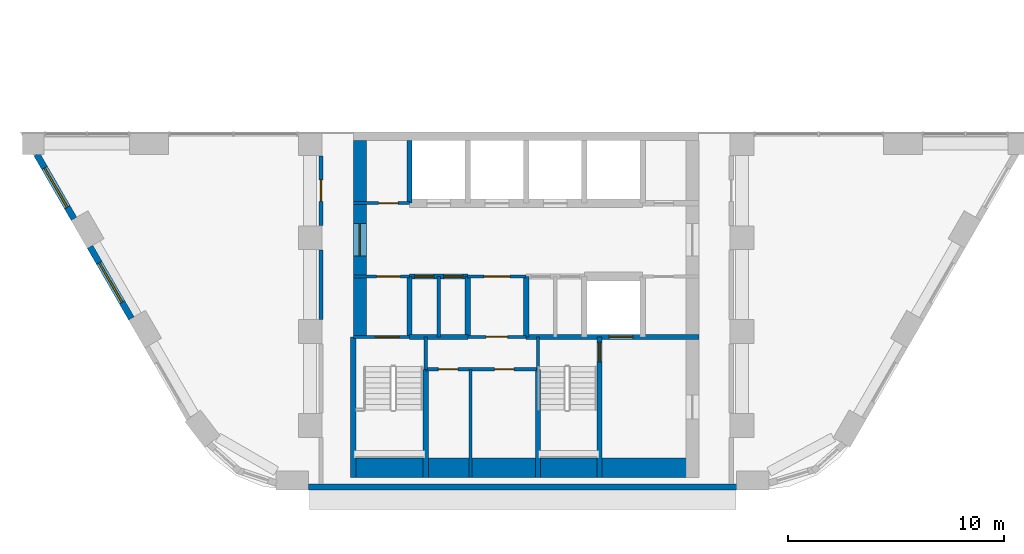
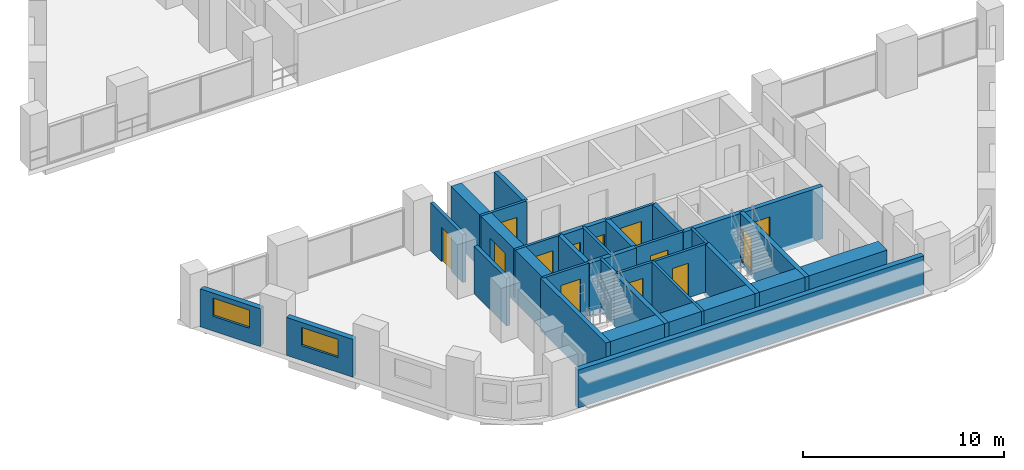
# One storey, part 5 of 11: 28 walls, 13 doors, 2 windows, 15 openings.
"""IFC4 building model written with IfcOpenShell, lengths in metres."""

from ifc_helpers import new_model, si_unit, direction, frame, frame_2d, origin, place, context, subcontext, project, spatial, rectangle, extrude, material, layer, layer_set, type_object, element, fill, save


model = new_model("IFC4")

# Units and contexts
model_context = context("Model", 3, precision=1e-05, world=origin(), true_north=direction((0.0, 1.0)))
body_context = subcontext(model_context, "Body", "Model", "MODEL_VIEW")
ifc_project = project(units=[si_unit("LENGTHUNIT", "METRE"), si_unit("AREAUNIT", "SQUARE_METRE"), si_unit("VOLUMEUNIT", "CUBIC_METRE"), si_unit("PLANEANGLEUNIT", "RADIAN"), si_unit("MASSUNIT", "GRAM", prefix="KILO")], contexts=[model_context])

# Site, building, storey
site_placement = place(None, origin())
site = spatial("IfcSite", under=ifc_project, at=site_placement, CompositionType="ELEMENT")
building_placement = place(site_placement, origin())
building = spatial("IfcBuilding", under=site, at=building_placement, Name="Nakaniwa Court", CompositionType="ELEMENT")
storey_placement = place(building_placement, frame((0.0, 0.0, 34.800048828125)))
storey = spatial("IfcBuildingStorey", under=building, at=storey_placement, Name="L08", CompositionType="ELEMENT", Elevation=34.800048828125)

# Wall
ifc_material_1 = material(Name="Acoustic double stud partition")
ifc_layer_1 = layer(ifc_material_1, 0.199951171875)
ifc_layer_set_1 = layer_set([ifc_layer_1], Name="Acoustic double stud partition")
wall_type_1 = type_object("IfcWallType", Name="Acoustic double stud partition 200", PredefinedType="PARTITIONING", material=ifc_layer_set_1)
wall_1_placement = place(storey_placement, frame((70.5, 63.9169921875, 0.0), z_axis=(0.0, 0.0, 1.0), x_axis=(0.0, 1.0, 0.0)))
element("IfcWall", 1, at=wall_1_placement, inside=storey, type_object=wall_type_1, Name="Partition PW-081", PredefinedType="PARTITIONING", context=body_context, shape_type="SweptSolid", body=[
    extrude(rectangle(XDim=3.216064453125, YDim=0.199951171875, at=frame_2d((1.60791015625, 0.0))), origin(), (0.0, 0.0, 1.0), 2.89990234375),
])

# Wall, opening, door
wall_2_placement = place(storey_placement, frame((70.5, 68.26708984375, 0.0), z_axis=(0.0, 0.0, 1.0), x_axis=(0.0, 1.0, 0.0)))
wall_2 = element("IfcWall", 2, at=wall_2_placement, inside=storey, type_object=wall_type_1, Name="Partition PW-082", PredefinedType="PARTITIONING", context=body_context, shape_type="SweptSolid", body=[
    extrude(rectangle(XDim=3.2158203125, YDim=0.199951171875, at=frame_2d((1.60791015625, 0.0))), origin(), (0.0, 0.0, 1.0), 2.89990234375),
])
opening_1_placement = place(wall_2_placement, frame((1.10791015625, 0.0, 0.0)))
opening_1 = element("IfcOpeningElement", 3, at=opening_1_placement, cuts=wall_2, Name="Opening D-02-03", PredefinedType="OPENING", context=body_context, shape_type="SweptSolid", body=[
    extrude(rectangle(XDim=1.0, YDim=2.10009765625, at=frame_2d((0.5, 1.050048828125))), frame((0.0, 0.10986328125, 0.0), z_axis=(0.0, -1.0, 0.0), x_axis=(1.0, 0.0, 0.0)), (0.0, 0.0, 1.0), 0.219970703125),
])
ifc_material_2 = material(Name="Solid core timber door set, black veneer", Category="wood")
door_type_1 = type_object("IfcDoorType", Name="Internal door 1000", OperationType="NOTDEFINED", PredefinedType="DOOR", material=ifc_material_2)
door_1_placement = place(opening_1_placement, origin())
door_1 = element("IfcDoor", 4, at=door_1_placement, inside=storey, type_object=door_type_1, Name="Door D-02-03 L08-031", OperationType="SINGLE_SWING_RIGHT", OverallHeight=2.10009765625, OverallWidth=1.0, PredefinedType="DOOR", context=body_context, shape_type="SweptSolid", body=[
    extrude(rectangle(XDim=1.0, YDim=2.10009765625, at=frame_2d((0.5, 1.050048828125))), frame((0.0, 0.02490234375, 0.0), z_axis=(0.0, -1.0, 0.0), x_axis=(1.0, 0.0, 0.0)), (0.0, 0.0, 1.0), 0.050048828125),
])
fill(opening_1, door_1)

# Wall, opening, window
ifc_material_3 = material(Name="Charcoal ceramic cladding")
ifc_layer_2 = layer(ifc_material_3, 0.02, Name="Ceramic cladding")
ifc_material_4 = material(Name="Ventilated air cavity")
ifc_layer_3 = layer(ifc_material_4, 0.04, ventilated=True, Name="Ventilated cavity")
ifc_material_5 = material(Name="Mineral wool insulation")
ifc_layer_4 = layer(ifc_material_5, 0.1, Name="Insulation")
ifc_material_6 = material(Name="Cement bonded sheathing board")
ifc_layer_5 = layer(ifc_material_6, 0.012, Name="Sheathing")
ifc_material_7 = material(Name="Cold-formed galvanised stud frame with mineral wool infill")
ifc_layer_6 = layer(ifc_material_7, 0.1, Name="Stud frame")
ifc_material_8 = material(Name="Fire-rated gypsum plasterboard lining")
ifc_layer_7 = layer(ifc_material_8, 0.028, Name="Lining")
ifc_layer_set_2 = layer_set([ifc_layer_2, ifc_layer_3, ifc_layer_4, ifc_layer_5, ifc_layer_6, ifc_layer_7], Name="Charcoal ceramic faced external wall system")
wall_type_2 = type_object("IfcWallType", Name="Black ceramic faced external wall 300", PredefinedType="SOLIDWALL", material=ifc_layer_set_2)
wall_3_placement = place(storey_placement, frame((57.3369140625, 71.553466796875, 0.0), z_axis=(0.0, 0.0, 1.0), x_axis=(0.500035437112, -0.866004943191, 0.0)))
wall_3 = element("IfcWall", 5, at=wall_3_placement, inside=storey, type_object=wall_type_2, Name="L08 external wall 06", PredefinedType="SOLIDWALL", context=body_context, shape_type="SweptSolid", body=[
    extrude(rectangle(XDim=3.443603515625, YDim=0.300048828125, at=frame_2d((1.7216796875, 0.0))), origin(), (0.0, 0.0, 1.0), 2.300048828125),
])
opening_2_placement = place(wall_3_placement, frame((0.722412109375, 0.0, 0.89990234375)))
opening_2 = element("IfcOpeningElement", 6, at=opening_2_placement, cuts=wall_3, Name="Opening W7.03", PredefinedType="OPENING", context=body_context, shape_type="SweptSolid", body=[
    extrude(rectangle(XDim=2.10009765625, YDim=1.10009765625, at=frame_2d((1.050048828125, 0.550048828125))), frame((0.0, 0.159912109375, 0.0), z_axis=(0.0, -1.0, 0.0), x_axis=(1.0, 0.0, 0.0)), (0.0, 0.0, 1.0), 0.320068359375),
])
ifc_material_9 = material(Name="Black anodised aluminium frame with dark low-E laminated double glazing", Category="aluminium")
window_type = type_object("IfcWindowType", Name="Dark glass window 2100x1100 sill 900", PartitioningType="SINGLE_PANEL", PredefinedType="WINDOW", material=ifc_material_9)
window_1_placement = place(opening_2_placement, origin())
window_1 = element("IfcWindow", 7, at=window_1_placement, inside=storey, type_object=window_type, Name="L08 habitable room window 06-0", OverallHeight=1.10009765625, OverallWidth=2.10009765625, PartitioningType="SINGLE_PANEL", PredefinedType="WINDOW", context=body_context, shape_type="SweptSolid", body=[
    extrude(rectangle(XDim=2.10009765625, YDim=1.10009765625, at=frame_2d((1.050048828125, 0.550048828125))), frame((0.0, 0.030029296875, 0.0), z_axis=(0.0, -1.0, 0.0), x_axis=(1.0, 0.0, 0.0)), (0.0, 0.0, 1.0), 0.06005859375),
])
fill(opening_2, window_1)

wall_4_placement = place(storey_placement, frame((59.8046875, 67.279296875, 0.0), z_axis=(0.0, 0.0, 1.0), x_axis=(0.500001735503, -0.866024401789, 0.0)))
wall_4 = element("IfcWall", 8, at=wall_4_placement, inside=storey, type_object=wall_type_2, Name="L08 external wall 07", PredefinedType="SOLIDWALL", context=body_context, shape_type="SweptSolid", body=[
    extrude(rectangle(XDim=3.833984375, YDim=0.300048828125, at=frame_2d((1.9169921875, 0.0))), origin(), (0.0, 0.0, 1.0), 2.300048828125),
])
opening_3_placement = place(wall_4_placement, frame((0.866943359375, 0.0, 0.89990234375)))
opening_3 = element("IfcOpeningElement", 9, at=opening_3_placement, cuts=wall_4, Name="Opening W7.04", PredefinedType="OPENING", context=body_context, shape_type="SweptSolid", body=[
    extrude(rectangle(XDim=2.10009765625, YDim=1.10009765625, at=frame_2d((1.050048828125, 0.550048828125))), frame((0.0, 0.159912109375, 0.0), z_axis=(0.0, -1.0, 0.0), x_axis=(1.0, 0.0, 0.0)), (0.0, 0.0, 1.0), 0.320068359375),
])
window_2_placement = place(opening_3_placement, origin())
window_2 = element("IfcWindow", 10, at=window_2_placement, inside=storey, type_object=window_type, Name="L08 habitable room window 07-0", OverallHeight=1.10009765625, OverallWidth=2.10009765625, PartitioningType="SINGLE_PANEL", PredefinedType="WINDOW", context=body_context, shape_type="SweptSolid", body=[
    extrude(rectangle(XDim=2.10009765625, YDim=1.10009765625, at=frame_2d((1.050048828125, 0.550048828125))), frame((0.0, 0.030029296875, 0.0), z_axis=(0.0, -1.0, 0.0), x_axis=(1.0, 0.0, 0.0)), (0.0, 0.0, 1.0), 0.06005859375),
])
fill(opening_3, window_2)

# Wall
wall_5_placement = place(storey_placement, frame((69.92138671875, 56.14990234375, 0.0), z_axis=(0.0, 0.0, 1.0), x_axis=(1.0, 0.0, 0.0)))
element("IfcWall", 11, at=wall_5_placement, inside=storey, type_object=wall_type_2, Name="L08 external wall 11", PredefinedType="SOLIDWALL", context=body_context, shape_type="SweptSolid", body=[
    extrude(rectangle(XDim=19.839599609375, YDim=0.300048828125, at=frame_2d((9.919921875, 0.0))), origin(), (0.0, 0.0, 1.0), 2.300048828125),
])

# Wall, opening, door
ifc_material_10 = material(Name="Blockwork partition", Category="masonry")
ifc_layer_8 = layer(ifc_material_10, 0.14990234375)
ifc_layer_set_3 = layer_set([ifc_layer_8], Name="Blockwork partition")
wall_type_3 = type_object("IfcWallType", Name="Blockwork partition 150", PredefinedType="PARTITIONING", material=ifc_layer_set_3)
wall_6_placement = place(storey_placement, frame((72.0, 69.300048828125, 0.0), z_axis=(0.0, 0.0, 1.0), x_axis=(1.0, 0.0, 0.0)))
wall_6 = element("IfcWall", 12, at=wall_6_placement, inside=storey, type_object=wall_type_3, Name="Partition PW-038", PredefinedType="PARTITIONING", context=body_context, shape_type="SweptSolid", body=[
    extrude(rectangle(XDim=2.60009765625, YDim=0.14990234375, at=frame_2d((1.300048828125, 0.0))), origin(), (0.0, 0.0, 1.0), 2.89990234375),
])
opening_4_placement = place(wall_6_placement, frame((1.175048828125, 0.0, 0.0)))
opening_4 = element("IfcOpeningElement", 13, at=opening_4_placement, cuts=wall_6, Name="Opening D-05-10", PredefinedType="OPENING", context=body_context, shape_type="SweptSolid", body=[
    extrude(rectangle(XDim=0.89990234375, YDim=2.10009765625, at=frame_2d((0.449951171875, 1.050048828125))), frame((0.0, 0.0849609375, 0.0), z_axis=(0.0, -1.0, 0.0), x_axis=(1.0, 0.0, 0.0)), (0.0, 0.0, 1.0), 0.169921875),
])
ifc_material_11 = material(Name="Fire rated steel door set", Category="steel")
door_type_2 = type_object("IfcDoorType", Name="Service room door 900", OperationType="NOTDEFINED", PredefinedType="DOOR", material=ifc_material_11)
door_2_placement = place(opening_4_placement, origin())
door_2 = element("IfcDoor", 14, at=door_2_placement, inside=storey, type_object=door_type_2, Name="Door D-05-10 L08-015", OperationType="SINGLE_SWING_RIGHT", OverallHeight=2.10009765625, OverallWidth=0.89990234375, PredefinedType="DOOR", context=body_context, shape_type="SweptSolid", body=[
    extrude(rectangle(XDim=0.89990234375, YDim=2.10009765625, at=frame_2d((0.449951171875, 1.050048828125))), frame((0.0, 0.02490234375, 0.0), z_axis=(0.0, -1.0, 0.0), x_axis=(1.0, 0.0, 0.0)), (0.0, 0.0, 1.0), 0.050048828125),
])
fill(opening_4, door_2)

wall_7_placement = place(storey_placement, frame((74.60302734375, 65.89990234375, 0.0), z_axis=(0.0, 0.0, 1.0), x_axis=(-1.0, 0.0, 0.0)))
wall_7 = element("IfcWall", 15, at=wall_7_placement, inside=storey, type_object=wall_type_3, Name="Partition PW-051", PredefinedType="PARTITIONING", context=body_context, shape_type="SweptSolid", body=[
    extrude(rectangle(XDim=2.60302734375, YDim=0.14990234375, at=frame_2d((1.301513671875, 0.0))), origin(), (0.0, 0.0, 1.0), 2.89990234375),
])
opening_5_placement = place(wall_7_placement, frame((0.427978515625, 0.0, 0.0)))
opening_5 = element("IfcOpeningElement", 16, at=opening_5_placement, cuts=wall_7, Name="Opening D-08-02", PredefinedType="OPENING", context=body_context, shape_type="SweptSolid", body=[
    extrude(rectangle(XDim=1.10009765625, YDim=2.10009765625, at=frame_2d((0.550048828125, 1.050048828125))), frame((0.0, 0.0849609375, 0.0), z_axis=(0.0, -1.0, 0.0), x_axis=(1.0, 0.0, 0.0)), (0.0, 0.0, 1.0), 0.169921875),
])
door_type_3 = type_object("IfcDoorType", Name="Stair lobby door 1100", OperationType="NOTDEFINED", PredefinedType="DOOR", material=ifc_material_11)
door_3_placement = place(opening_5_placement, origin())
door_3 = element("IfcDoor", 17, at=door_3_placement, inside=storey, type_object=door_type_3, Name="Door D-08-02 L08-017", OperationType="SINGLE_SWING_RIGHT", OverallHeight=2.10009765625, OverallWidth=1.10009765625, PredefinedType="DOOR", context=body_context, shape_type="SweptSolid", body=[
    extrude(rectangle(XDim=1.10009765625, YDim=2.10009765625, at=frame_2d((0.550048828125, 1.050048828125))), frame((0.0, 0.02490234375, 0.0), z_axis=(0.0, -1.0, 0.0), x_axis=(1.0, 0.0, 0.0)), (0.0, 0.0, 1.0), 0.050048828125),
])
fill(opening_5, door_3)

wall_8_placement = place(storey_placement, frame((80.0029296875, 65.89990234375, 0.0), z_axis=(0.0, 0.0, 1.0), x_axis=(-1.0, 0.0, 0.0)))
wall_8 = element("IfcWall", 18, at=wall_8_placement, inside=storey, type_object=wall_type_3, Name="Partition PW-052", PredefinedType="PARTITIONING", context=body_context, shape_type="SweptSolid", body=[
    extrude(rectangle(XDim=2.705810546875, YDim=0.14990234375, at=frame_2d((1.35302734375, 0.0))), origin(), (0.0, 0.0, 1.0), 2.89990234375),
])
opening_6_placement = place(wall_8_placement, frame((0.7529296875, 0.0, 0.0)))
opening_6 = element("IfcOpeningElement", 19, at=opening_6_placement, cuts=wall_8, Name="Opening D-06-02", PredefinedType="OPENING", context=body_context, shape_type="SweptSolid", body=[
    extrude(rectangle(XDim=1.199951171875, YDim=2.10009765625, at=frame_2d((0.60009765625, 1.050048828125))), frame((0.0, 0.0849609375, 0.0), z_axis=(0.0, -1.0, 0.0), x_axis=(1.0, 0.0, 0.0)), (0.0, 0.0, 1.0), 0.169921875),
])
ifc_material_12 = material(Name="Fire rated steel double door set", Category="steel")
door_type_4 = type_object("IfcDoorType", Name="Service passage double door 1200", OperationType="NOTDEFINED", PredefinedType="DOOR", material=ifc_material_12)
door_4_placement = place(opening_6_placement, origin())
door_4 = element("IfcDoor", 20, at=door_4_placement, inside=storey, type_object=door_type_4, Name="Door D-06-02 L08-020", OperationType="DOUBLE_DOOR_SINGLE_SWING", OverallHeight=2.10009765625, OverallWidth=1.199951171875, PredefinedType="DOOR", context=body_context, shape_type="SweptSolid", body=[
    extrude(rectangle(XDim=1.199951171875, YDim=2.10009765625, at=frame_2d((0.60009765625, 1.050048828125))), frame((0.0, 0.02490234375, 0.0), z_axis=(0.0, -1.0, 0.0), x_axis=(1.0, 0.0, 0.0)), (0.0, 0.0, 1.0), 0.050048828125),
])
fill(opening_6, door_4)

# Wall
wall_9_placement = place(storey_placement, frame((75.949951171875, 63.10009765625, 0.0), z_axis=(0.0, 0.0, 1.0), x_axis=(0.0, 1.0, 0.0)))
element("IfcWall", 21, at=wall_9_placement, inside=storey, type_object=wall_type_3, Name="Partition PW-058", PredefinedType="PARTITIONING", context=body_context, shape_type="SweptSolid", body=[
    extrude(rectangle(XDim=2.7998046875, YDim=0.14990234375, at=frame_2d((1.39990234375, 0.0))), origin(), (0.0, 0.0, 1.0), 2.89990234375),
])

# Wall, opening, door
wall_10_placement = place(storey_placement, frame((80.0, 63.10009765625, 0.0), z_axis=(0.0, 0.0, 1.0), x_axis=(-1.0, 0.0, 0.0)))
wall_10 = element("IfcWall", 22, at=wall_10_placement, inside=storey, type_object=wall_type_3, Name="Partition PW-061", PredefinedType="PARTITIONING", context=body_context, shape_type="SweptSolid", body=[
    extrude(rectangle(XDim=2.699951171875, YDim=0.14990234375, at=frame_2d((1.35009765625, 0.0))), origin(), (0.0, 0.0, 1.0), 2.89990234375),
])
opening_7_placement = place(wall_10_placement, frame((0.85009765625, 0.0, 0.0)))
opening_7 = element("IfcOpeningElement", 23, at=opening_7_placement, cuts=wall_10, Name="Opening D-23-02", PredefinedType="OPENING", context=body_context, shape_type="SweptSolid", body=[
    extrude(rectangle(XDim=1.0, YDim=2.10009765625, at=frame_2d((0.5, 1.050048828125))), frame((0.0, 0.0849609375, 0.0), z_axis=(0.0, -1.0, 0.0), x_axis=(1.0, 0.0, 0.0)), (0.0, 0.0, 1.0), 0.169921875),
])
door_type_5 = type_object("IfcDoorType", Name="Service room door 1000", OperationType="NOTDEFINED", PredefinedType="DOOR", material=ifc_material_11)
door_5_placement = place(opening_7_placement, origin())
door_5 = element("IfcDoor", 24, at=door_5_placement, inside=storey, type_object=door_type_5, Name="Door D-23-02 L08-024", OperationType="SINGLE_SWING_LEFT", OverallHeight=2.10009765625, OverallWidth=1.0, PredefinedType="DOOR", context=body_context, shape_type="SweptSolid", body=[
    extrude(rectangle(XDim=1.0, YDim=2.10009765625, at=frame_2d((0.5, 1.050048828125))), frame((0.0, 0.02490234375, 0.0), z_axis=(0.0, -1.0, 0.0), x_axis=(1.0, 0.0, 0.0)), (0.0, 0.0, 1.0), 0.050048828125),
])
fill(opening_7, door_5)

# Wall, openings, doors
wall_11_placement = place(storey_placement, frame((80.550048828125, 61.60009765625, 0.0), z_axis=(0.0, 0.0, 1.0), x_axis=(-1.0, 0.0, 0.0)))
wall_11 = element("IfcWall", 25, at=wall_11_placement, inside=storey, type_object=wall_type_3, Name="Partition PW-069", PredefinedType="PARTITIONING", context=body_context, shape_type="SweptSolid", body=[
    extrude(rectangle(XDim=5.199951171875, YDim=0.14990234375, at=frame_2d((2.60009765625, 0.0))), origin(), (0.0, 0.0, 1.0), 2.89990234375),
])
opening_8_placement = place(wall_11_placement, frame((3.7099609375, 0.0, 0.0)))
opening_8 = element("IfcOpeningElement", 26, at=opening_8_placement, cuts=wall_11, Name="Opening D-05-17", PredefinedType="OPENING", context=body_context, shape_type="SweptSolid", body=[
    extrude(rectangle(XDim=0.89990234375, YDim=2.10009765625, at=frame_2d((0.449951171875, 1.050048828125))), frame((0.0, 0.0849609375, 0.0), z_axis=(0.0, -1.0, 0.0), x_axis=(1.0, 0.0, 0.0)), (0.0, 0.0, 1.0), 0.169921875),
])
opening_9_placement = place(wall_11_placement, frame((1.110107421875, 0.0, 0.0)))
opening_9 = element("IfcOpeningElement", 27, at=opening_9_placement, cuts=wall_11, Name="Opening D-05-18", PredefinedType="OPENING", context=body_context, shape_type="SweptSolid", body=[
    extrude(rectangle(XDim=0.89990234375, YDim=2.10009765625, at=frame_2d((0.449951171875, 1.050048828125))), frame((0.0, 0.0849609375, 0.0), z_axis=(0.0, -1.0, 0.0), x_axis=(1.0, 0.0, 0.0)), (0.0, 0.0, 1.0), 0.169921875),
])
door_6_placement = place(opening_8_placement, origin())
door_6 = element("IfcDoor", 28, at=door_6_placement, inside=storey, type_object=door_type_2, Name="Door D-05-17 L08-025", OperationType="SINGLE_SWING_RIGHT", OverallHeight=2.10009765625, OverallWidth=0.89990234375, PredefinedType="DOOR", context=body_context, shape_type="SweptSolid", body=[
    extrude(rectangle(XDim=0.89990234375, YDim=2.10009765625, at=frame_2d((0.449951171875, 1.050048828125))), frame((0.0, 0.02490234375, 0.0), z_axis=(0.0, -1.0, 0.0), x_axis=(1.0, 0.0, 0.0)), (0.0, 0.0, 1.0), 0.050048828125),
])
fill(opening_8, door_6)
door_7_placement = place(opening_9_placement, origin())
door_7 = element("IfcDoor", 29, at=door_7_placement, inside=storey, type_object=door_type_2, Name="Door D-05-18 L08-026", OperationType="SINGLE_SWING_LEFT", OverallHeight=2.10009765625, OverallWidth=0.89990234375, PredefinedType="DOOR", context=body_context, shape_type="SweptSolid", body=[
    extrude(rectangle(XDim=0.89990234375, YDim=2.10009765625, at=frame_2d((0.449951171875, 1.050048828125))), frame((0.0, 0.02490234375, 0.0), z_axis=(0.0, -1.0, 0.0), x_axis=(1.0, 0.0, 0.0)), (0.0, 0.0, 1.0), 0.050048828125),
])
fill(opening_9, door_7)

# Wall
wall_12_placement = place(storey_placement, frame((77.429931640625, 56.60009765625, 0.0), z_axis=(0.0, 0.0, 1.0), x_axis=(0.0, 1.0, 0.0)))
element("IfcWall", 30, at=wall_12_placement, inside=storey, type_object=wall_type_3, Name="Partition PW-070", PredefinedType="PARTITIONING", context=body_context, shape_type="SweptSolid", body=[
    extrude(rectangle(XDim=5.0, YDim=0.14990234375, at=frame_2d((2.5, 0.0))), origin(), (0.0, 0.0, 1.0), 2.89990234375),
])

# Wall, opening, door
ifc_material_13 = material(Name="Concrete C100/115", Category="concrete")
ifc_layer_9 = layer(ifc_material_13, 0.60009765625)
ifc_layer_set_4 = layer_set([ifc_layer_9], Name="Concrete C100/115")
wall_type_4 = type_object("IfcWallType", Name="Concrete core side wall 600 C100", PredefinedType="SHEAR", material=ifc_layer_set_4)
wall_13_placement = place(storey_placement, frame((72.300048828125, 63.10009765625, -0.275146484375), z_axis=(0.0, 0.0, 1.0), x_axis=(0.0, 1.0, 0.0)))
wall_13 = element("IfcWall", 31, at=wall_13_placement, inside=storey, type_object=wall_type_4, Name="Core wall SW-39", PredefinedType="SHEAR", context=body_context, shape_type="SweptSolid", body=[
    extrude(rectangle(XDim=9.099853515625, YDim=0.60009765625, at=frame_2d((4.5498046875, 0.0))), origin(), (0.0, 0.0, 1.0), 3.175048828125),
])
opening_10_placement = place(wall_13_placement, frame((3.75, 0.0, 0.27490234375)))
opening_10 = element("IfcOpeningElement", 32, at=opening_10_placement, cuts=wall_13, Name="Opening D-07-04", PredefinedType="OPENING", context=body_context, shape_type="SweptSolid", body=[
    extrude(rectangle(XDim=1.5, YDim=2.10009765625, at=frame_2d((0.75, 1.050048828125))), frame((0.0, 0.31005859375, 0.0), z_axis=(0.0, -1.0, 0.0), x_axis=(1.0, 0.0, 0.0)), (0.0, 0.0, 1.0), 0.6201171875),
])
ifc_material_14 = material(Name="Glazed fire rated steel double door set", Category="steel")
door_type_6 = type_object("IfcDoorType", Name="Lobby double door 1500", OperationType="NOTDEFINED", PredefinedType="DOOR", material=ifc_material_14)
door_8_placement = place(opening_10_placement, origin())
door_8 = element("IfcDoor", 33, at=door_8_placement, inside=storey, type_object=door_type_6, Name="Door D-07-04 L08-037", OperationType="DOUBLE_DOOR_SINGLE_SWING", OverallHeight=2.10009765625, OverallWidth=1.5, PredefinedType="DOOR", context=body_context, shape_type="SweptSolid", body=[
    extrude(rectangle(XDim=1.5, YDim=2.10009765625, at=frame_2d((0.75, 1.050048828125))), frame((0.0, 0.02490234375, 0.0), z_axis=(0.0, -1.0, 0.0), x_axis=(1.0, 0.0, 0.0)), (0.0, 0.0, 1.0), 0.050048828125),
])
fill(opening_10, door_8)

ifc_layer_10 = layer(ifc_material_13, 0.14990234375)
ifc_layer_set_5 = layer_set([ifc_layer_10], Name="Concrete C100/115")
wall_type_5 = type_object("IfcWallType", Name="Concrete core wall 150 C100", PredefinedType="SHEAR", material=ifc_layer_set_5)
wall_14_placement = place(storey_placement, frame((72.0, 63.10009765625, -0.275146484375), z_axis=(0.0, 0.0, 1.0), x_axis=(1.0, 0.0, 0.0)))
wall_14 = element("IfcWall", 34, at=wall_14_placement, inside=storey, type_object=wall_type_5, Name="Core wall SW-57", PredefinedType="SHEAR", context=body_context, shape_type="SweptSolid", body=[
    extrude(rectangle(XDim=2.60009765625, YDim=0.14990234375, at=frame_2d((1.300048828125, 0.0))), origin(), (0.0, 0.0, 1.0), 3.175048828125),
])
opening_11_placement = place(wall_14_placement, frame((1.02001953125, 0.0, 0.27490234375)))
opening_11 = element("IfcOpeningElement", 35, at=opening_11_placement, cuts=wall_14, Name="Opening D-09-02", PredefinedType="OPENING", context=body_context, shape_type="SweptSolid", body=[
    extrude(rectangle(XDim=1.10009765625, YDim=2.10009765625, at=frame_2d((0.550048828125, 1.050048828125))), frame((0.0, 0.0849609375, 0.0), z_axis=(0.0, -1.0, 0.0), x_axis=(1.0, 0.0, 0.0)), (0.0, 0.0, 1.0), 0.169921875),
])
door_type_7 = type_object("IfcDoorType", Name="Stair door 1100", OperationType="NOTDEFINED", PredefinedType="DOOR", material=ifc_material_11)
door_9_placement = place(opening_11_placement, origin())
door_9 = element("IfcDoor", 36, at=door_9_placement, inside=storey, type_object=door_type_7, Name="Door D-09-02 L08-027", OperationType="SINGLE_SWING_LEFT", OverallHeight=2.10009765625, OverallWidth=1.10009765625, PredefinedType="DOOR", context=body_context, shape_type="SweptSolid", body=[
    extrude(rectangle(XDim=1.10009765625, YDim=2.10009765625, at=frame_2d((0.550048828125, 1.050048828125))), frame((0.0, 0.02490234375, 0.0), z_axis=(0.0, -1.0, 0.0), x_axis=(1.0, 0.0, 0.0)), (0.0, 0.0, 1.0), 0.050048828125),
])
fill(opening_11, door_9)

# Walls
for number, where, z_axis, x_axis, name in (
    (37, (75.35009765625, 61.596923828125, -0.275146484375), (0.0, 0.0, 1.0), (0.0, 1.0, 0.0), "Core wall SW-63"),
    (38, (80.550048828125, 61.596923828125, -0.275146484375), (0.0, 0.0, 1.0), (0.0, 1.0, 0.0), "Core wall SW-67"),
):
    element("IfcWall", number, at=place(storey_placement, frame(where, z_axis=z_axis, x_axis=x_axis)), inside=storey, type_object=wall_type_5, Name=name, PredefinedType="SHEAR", context=body_context, shape_type="SweptSolid", body=[
        extrude(rectangle(XDim=1.503173828125, YDim=0.14990234375, at=frame_2d((0.75146484375, 0.0))), origin(), (0.0, 0.0, 1.0), 3.175048828125),
    ])
ifc_layer_11 = layer(ifc_material_13, 0.25)
ifc_layer_set_6 = layer_set([ifc_layer_11], Name="Concrete C100/115")
wall_type_6 = type_object("IfcWallType", Name="Concrete core wall 250 C100", PredefinedType="SHEAR", material=ifc_layer_set_6)
wall_15_placement = place(storey_placement, frame((72.0, 56.60009765625, -0.275146484375), z_axis=(0.0, 0.0, 1.0), x_axis=(0.0, 1.0, 0.0)))
element("IfcWall", 39, at=wall_15_placement, inside=storey, type_object=wall_type_6, Name="Core wall SW-65", PredefinedType="SHEAR", context=body_context, shape_type="SweptSolid", body=[
    extrude(rectangle(XDim=6.5, YDim=0.25, at=frame_2d((3.25, 0.0))), origin(), (0.0, 0.0, 1.0), 3.175048828125),
])
ifc_layer_12 = layer(ifc_material_13, 0.89990234375)
ifc_layer_set_7 = layer_set([ifc_layer_12], Name="Concrete C100/115")
wall_type_7 = type_object("IfcWallType", Name="Concrete core wall 900 C100", PredefinedType="SHEAR", material=ifc_layer_set_7)
wall_16_placement = place(storey_placement, frame((72.00390625, 57.050048828125, -0.275146484375), z_axis=(0.0, 0.0, 1.0), x_axis=(1.0, 0.0, 0.0)))
element("IfcWall", 40, at=wall_16_placement, inside=storey, type_object=wall_type_7, Name="Core wall SW-90", PredefinedType="SHEAR", context=body_context, shape_type="SweptSolid", body=[
    extrude(rectangle(XDim=15.9921875, YDim=0.89990234375, at=frame_2d((7.99609375, 0.0))), origin(), (0.0, 0.0, 1.0), 3.175048828125),
])
ifc_layer_13 = layer(ifc_material_13, 0.25)
ifc_layer_set_8 = layer_set([ifc_layer_13], Name="Concrete C100/115")
wall_type_8 = type_object("IfcWallType", Name="Concrete shaft wall 250 C100", PredefinedType="SHEAR", material=ifc_layer_set_8)
wall_17_placement = place(storey_placement, frame((74.60009765625, 63.10009765625, -0.275146484375), z_axis=(0.0, 0.0, 1.0), x_axis=(0.0, 1.0, 0.0)))
element("IfcWall", 41, at=wall_17_placement, inside=storey, type_object=wall_type_8, Name="Core wall SW-36", PredefinedType="SHEAR", context=body_context, shape_type="SweptSolid", body=[
    extrude(rectangle(XDim=2.7998046875, YDim=0.25, at=frame_2d((1.39990234375, 0.0))), origin(), (0.0, 0.0, 1.0), 3.175048828125),
])
wall_18_placement = place(storey_placement, frame((74.60009765625, 69.300048828125, -0.275146484375), z_axis=(0.0, 0.0, 1.0), x_axis=(0.0, 1.0, 0.0)))
element("IfcWall", 42, at=wall_18_placement, inside=storey, type_object=wall_type_8, Name="Core wall SW-37", PredefinedType="SHEAR", context=body_context, shape_type="SweptSolid", body=[
    extrude(rectangle(XDim=2.89990234375, YDim=0.25, at=frame_2d((1.449951171875, 0.0))), origin(), (0.0, 0.0, 1.0), 3.175048828125),
])
for number, where, z_axis, x_axis, name in (
    (43, (77.300048828125, 63.10009765625, -0.275146484375), (0.0, 0.0, 1.0), (0.0, 1.0, 0.0), "Core wall SW-40"),
    (44, (80.0, 63.10009765625, -0.275146484375), (0.0, 0.0, 1.0), (0.0, 1.0, 0.0), "Core wall SW-43"),
):
    element("IfcWall", number, at=place(storey_placement, frame(where, z_axis=z_axis, x_axis=x_axis)), inside=storey, type_object=wall_type_8, Name=name, PredefinedType="SHEAR", context=body_context, shape_type="SweptSolid", body=[
        extrude(rectangle(XDim=2.7998046875, YDim=0.25, at=frame_2d((1.39990234375, 0.0))), origin(), (0.0, 0.0, 1.0), 3.175048828125),
    ])

# Wall, openings, doors
wall_19_placement = place(storey_placement, frame((77.302978515625, 65.89990234375, -0.275146484375), z_axis=(0.0, 0.0, 1.0), x_axis=(-1.0, 0.0, 0.0)))
wall_19 = element("IfcWall", 45, at=wall_19_placement, inside=storey, type_object=wall_type_8, Name="Core wall SW-54", PredefinedType="SHEAR", context=body_context, shape_type="SweptSolid", body=[
    extrude(rectangle(XDim=2.7060546875, YDim=0.25, at=frame_2d((1.35302734375, 0.0))), origin(), (0.0, 0.0, 1.0), 3.175048828125),
])
opening_12_placement = place(wall_19_placement, frame((1.577880859375, 0.0, 0.27490234375)))
opening_12 = element("IfcOpeningElement", 46, at=opening_12_placement, cuts=wall_19, Name="Opening D-05-12", PredefinedType="OPENING", context=body_context, shape_type="SweptSolid", body=[
    extrude(rectangle(XDim=0.89990234375, YDim=2.10009765625, at=frame_2d((0.449951171875, 1.050048828125))), frame((0.0, 0.135009765625, 0.0), z_axis=(0.0, -1.0, 0.0), x_axis=(1.0, 0.0, 0.0)), (0.0, 0.0, 1.0), 0.27001953125),
])
opening_13_placement = place(wall_19_placement, frame((0.22802734375, 0.0, 0.27490234375)))
opening_13 = element("IfcOpeningElement", 47, at=opening_13_placement, cuts=wall_19, Name="Opening D-05-13", PredefinedType="OPENING", context=body_context, shape_type="SweptSolid", body=[
    extrude(rectangle(XDim=0.89990234375, YDim=2.10009765625, at=frame_2d((0.449951171875, 1.050048828125))), frame((0.0, 0.135009765625, 0.0), z_axis=(0.0, -1.0, 0.0), x_axis=(1.0, 0.0, 0.0)), (0.0, 0.0, 1.0), 0.27001953125),
])
door_10_placement = place(opening_12_placement, origin())
door_10 = element("IfcDoor", 48, at=door_10_placement, inside=storey, type_object=door_type_2, Name="Door D-05-12 L08-018", OperationType="SINGLE_SWING_LEFT", OverallHeight=2.10009765625, OverallWidth=0.89990234375, PredefinedType="DOOR", context=body_context, shape_type="SweptSolid", body=[
    extrude(rectangle(XDim=0.89990234375, YDim=2.10009765625, at=frame_2d((0.449951171875, 1.050048828125))), frame((0.0, 0.02490234375, 0.0), z_axis=(0.0, -1.0, 0.0), x_axis=(1.0, 0.0, 0.0)), (0.0, 0.0, 1.0), 0.050048828125),
])
fill(opening_12, door_10)
door_11_placement = place(opening_13_placement, origin())
door_11 = element("IfcDoor", 49, at=door_11_placement, inside=storey, type_object=door_type_2, Name="Door D-05-13 L08-019", OperationType="SINGLE_SWING_RIGHT", OverallHeight=2.10009765625, OverallWidth=0.89990234375, PredefinedType="DOOR", context=body_context, shape_type="SweptSolid", body=[
    extrude(rectangle(XDim=0.89990234375, YDim=2.10009765625, at=frame_2d((0.449951171875, 1.050048828125))), frame((0.0, 0.02490234375, 0.0), z_axis=(0.0, -1.0, 0.0), x_axis=(1.0, 0.0, 0.0)), (0.0, 0.0, 1.0), 0.050048828125),
])
fill(opening_13, door_11)

# Wall
wall_20_placement = place(storey_placement, frame((74.60009765625, 63.10009765625, -0.275146484375), z_axis=(0.0, 0.0, 1.0), x_axis=(1.0, 0.0, 0.0)))
element("IfcWall", 50, at=wall_20_placement, inside=storey, type_object=wall_type_8, Name="Core wall SW-59", PredefinedType="SHEAR", context=body_context, shape_type="SweptSolid", body=[
    extrude(rectangle(XDim=2.699951171875, YDim=0.25, at=frame_2d((1.35009765625, 0.0))), origin(), (0.0, 0.0, 1.0), 3.175048828125),
])

# Wall, opening, door
wall_21_placement = place(storey_placement, frame((80.0, 63.10009765625, -0.275146484375), z_axis=(0.0, 0.0, 1.0), x_axis=(1.0, 0.0, 0.0)))
wall_21 = element("IfcWall", 51, at=wall_21_placement, inside=storey, type_object=wall_type_8, Name="Core wall SW-60", PredefinedType="SHEAR", context=body_context, shape_type="SweptSolid", body=[
    extrude(rectangle(XDim=8.0, YDim=0.25, at=frame_2d((4.0, 0.0))), origin(), (0.0, 0.0, 1.0), 3.175048828125),
])
opening_14_placement = place(wall_21_placement, frame((3.84912109375, 0.0, 0.27490234375)))
opening_14 = element("IfcOpeningElement", 52, at=opening_14_placement, cuts=wall_21, Name="Opening LD08", PredefinedType="OPENING", context=body_context, shape_type="SweptSolid", body=[
    extrude(rectangle(XDim=1.10009765625, YDim=2.10009765625, at=frame_2d((0.550048828125, 1.050048828125))), frame((0.0, 0.135009765625, 0.0), z_axis=(0.0, -1.0, 0.0), x_axis=(1.0, 0.0, 0.0)), (0.0, 0.0, 1.0), 0.27001953125),
])
ifc_material_15 = material(Name="Stainless steel sliding lift landing door", Category="steel")
door_type_8 = type_object("IfcDoorType", Name="Lift landing door 1100", OperationType="NOTDEFINED", PredefinedType="DOOR", material=ifc_material_15)
door_12_placement = place(opening_14_placement, origin())
door_12 = element("IfcDoor", 53, at=door_12_placement, inside=storey, type_object=door_type_8, Name="Lift landing door LD08 L08-008", OperationType="SLIDING_TO_LEFT", OverallHeight=2.10009765625, OverallWidth=1.10009765625, PredefinedType="DOOR", context=body_context, shape_type="SweptSolid", body=[
    extrude(rectangle(XDim=1.10009765625, YDim=2.10009765625, at=frame_2d((0.550048828125, 1.050048828125))), frame((0.0, 0.02490234375, 0.0), z_axis=(0.0, -1.0, 0.0), x_axis=(1.0, 0.0, 0.0)), (0.0, 0.0, 1.0), 0.050048828125),
])
fill(opening_14, door_12)

# Wall
wall_22_placement = place(storey_placement, frame((75.35009765625, 56.60009765625, -0.275146484375), z_axis=(0.0, 0.0, 1.0), x_axis=(0.0, 1.0, 0.0)))
element("IfcWall", 54, at=wall_22_placement, inside=storey, type_object=wall_type_8, Name="Core wall SW-64", PredefinedType="SHEAR", context=body_context, shape_type="SweptSolid", body=[
    extrude(rectangle(XDim=5.0029296875, YDim=0.25, at=frame_2d((2.50146484375, 0.0))), origin(), (0.0, 0.0, 1.0), 3.175048828125),
])

# Wall, opening, door
wall_23_placement = place(storey_placement, frame((83.39990234375, 63.10009765625, -0.275146484375), z_axis=(0.0, 0.0, 1.0), x_axis=(0.0, -1.0, 0.0)))
wall_23 = element("IfcWall", 55, at=wall_23_placement, inside=storey, type_object=wall_type_8, Name="Core wall SW-66", PredefinedType="SHEAR", context=body_context, shape_type="SweptSolid", body=[
    extrude(rectangle(XDim=6.5, YDim=0.25, at=frame_2d((3.25, 0.0))), origin(), (0.0, 0.0, 1.0), 3.175048828125),
])
opening_15_placement = place(wall_23_placement, frame((0.25, 0.0, 0.27490234375)))
opening_15 = element("IfcOpeningElement", 56, at=opening_15_placement, cuts=wall_23, Name="Opening D-11-02", PredefinedType="OPENING", context=body_context, shape_type="SweptSolid", body=[
    extrude(rectangle(XDim=0.89990234375, YDim=2.10009765625, at=frame_2d((0.449951171875, 1.050048828125))), frame((0.0, 0.135009765625, 0.0), z_axis=(0.0, -1.0, 0.0), x_axis=(1.0, 0.0, 0.0)), (0.0, 0.0, 1.0), 0.27001953125),
])
door_type_9 = type_object("IfcDoorType", Name="Stair door 900", OperationType="NOTDEFINED", PredefinedType="DOOR", material=ifc_material_11)
door_13_placement = place(opening_15_placement, origin())
door_13 = element("IfcDoor", 57, at=door_13_placement, inside=storey, type_object=door_type_9, Name="Door D-11-02 L08-028", OperationType="SINGLE_SWING_RIGHT", OverallHeight=2.10009765625, OverallWidth=0.89990234375, PredefinedType="DOOR", context=body_context, shape_type="SweptSolid", body=[
    extrude(rectangle(XDim=0.89990234375, YDim=2.10009765625, at=frame_2d((0.449951171875, 1.050048828125))), frame((0.0, 0.02490234375, 0.0), z_axis=(0.0, -1.0, 0.0), x_axis=(1.0, 0.0, 0.0)), (0.0, 0.0, 1.0), 0.050048828125),
])
fill(opening_15, door_13)

# Wall
wall_24_placement = place(storey_placement, frame((80.550048828125, 56.60009765625, -0.275146484375), z_axis=(0.0, 0.0, 1.0), x_axis=(0.0, 1.0, 0.0)))
element("IfcWall", 58, at=wall_24_placement, inside=storey, type_object=wall_type_8, Name="Core wall SW-68", PredefinedType="SHEAR", context=body_context, shape_type="SweptSolid", body=[
    extrude(rectangle(XDim=5.0029296875, YDim=0.25, at=frame_2d((2.50146484375, 0.0))), origin(), (0.0, 0.0, 1.0), 3.175048828125),
])

save(model, "model.ifc")
